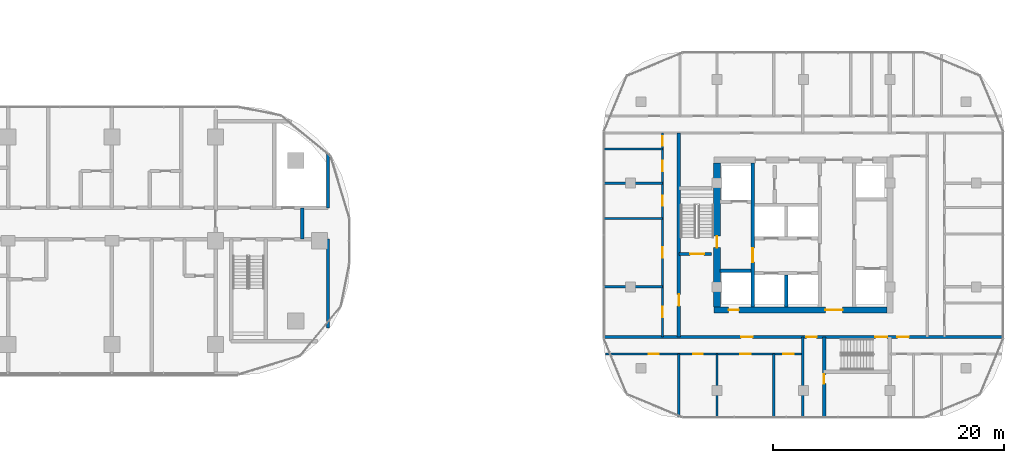
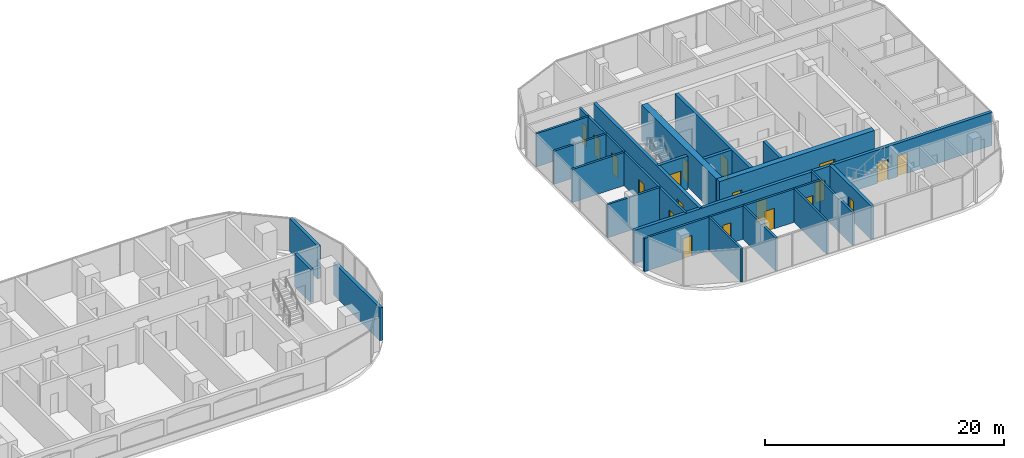
# One storey, part 22 of 34: 22 walls, 20 doors, 20 openings.
"""IFC4 building model written with IfcOpenShell, lengths in metres."""

from ifc_helpers import new_model, si_unit, direction, frame, frame_2d, origin, place, context, subcontext, project, spatial, rectangle, extrude, material, layer, layer_set, type_object, element, fill, save


model = new_model("IFC4")

# Units and contexts
model_context = context("Model", 3, precision=1e-05, world=origin(), true_north=direction((0.0, 1.0)))
body_context = subcontext(model_context, "Body", "Model", "MODEL_VIEW")
ifc_project = project(units=[si_unit("LENGTHUNIT", "METRE"), si_unit("AREAUNIT", "SQUARE_METRE"), si_unit("VOLUMEUNIT", "CUBIC_METRE"), si_unit("PLANEANGLEUNIT", "RADIAN"), si_unit("MASSUNIT", "GRAM", prefix="KILO")], contexts=[model_context])

# Site, building, storey
site_placement = place(None, origin())
site = spatial("IfcSite", under=ifc_project, at=site_placement, CompositionType="ELEMENT")
building_placement = place(site_placement, origin())
building = spatial("IfcBuilding", under=site, at=building_placement, Name="Ogive Portal Towers", CompositionType="ELEMENT")
storey_placement = place(building_placement, frame((0.0, 0.0, 66.800048828125)))
storey = spatial("IfcBuildingStorey", under=building, at=storey_placement, Name="L15", CompositionType="ELEMENT", Elevation=66.800048828125)

# Wall, opening, door
ifc_material_1 = material(Name="Concrete C60/75", Category="concrete")
ifc_layer_1 = layer(ifc_material_1, 0.300048828125)
ifc_layer_set_1 = layer_set([ifc_layer_1], Name="CORE WALL 300 C60")
wall_type_1 = type_object("IfcWallType", Name="CORE WALL 300 C60", PredefinedType="SHEAR", material=ifc_layer_set_1)
wall_1_placement = place(storey_placement, frame((132.10009765625, 24.75, 0.0), z_axis=(0.0, 0.0, 1.0), x_axis=(0.0, 1.0, 0.0)))
wall_1 = element("IfcWall", 1, at=wall_1_placement, inside=storey, type_object=wall_type_1, Name="Tower B core wall BX1 L15", PredefinedType="SHEAR", context=body_context, shape_type="SweptSolid", body=[
    extrude(rectangle(XDim=12.5, YDim=0.300048828125, at=frame_2d((6.25, 0.0))), origin(), (0.0, 0.0, 1.0), 3.699951171875),
])
opening_1_placement = place(wall_1_placement, frame((3.89990234375, 0.0, 0.0)))
opening_1 = element("IfcOpeningElement", 2, at=opening_1_placement, cuts=wall_1, Name="Opening B04-043", PredefinedType="OPENING", context=body_context, shape_type="SweptSolid", body=[
    extrude(rectangle(XDim=1.199951171875, YDim=2.10009765625, at=frame_2d((0.60009765625, 1.050048828125))), frame((0.0, 0.16015625, 0.0), z_axis=(0.0, -1.0, 0.0), x_axis=(1.0, 0.0, 0.0)), (0.0, 0.0, 1.0), 0.320068359375),
])
ifc_material_2 = material(Name="Steel fire door", Category="steel")
door_type_1 = type_object("IfcDoorType", Name="DT-SWING-1200x2100-FD90S", OperationType="SINGLE_SWING_LEFT", PredefinedType="DOOR", material=ifc_material_2)
door_1_placement = place(opening_1_placement, origin())
door_1 = element("IfcDoor", 3, at=door_1_placement, inside=storey, type_object=door_type_1, Name="Door B04-043", OperationType="SINGLE_SWING_LEFT", OverallHeight=2.10009765625, OverallWidth=1.199951171875, PredefinedType="DOOR", context=body_context, shape_type="SweptSolid", body=[
    extrude(rectangle(XDim=1.199951171875, YDim=2.10009765625, at=frame_2d((0.60009765625, 1.050048828125))), frame((0.0, 0.02490234375, 0.0), z_axis=(0.0, -1.0, 0.0), x_axis=(1.0, 0.0, 0.0)), (0.0, 0.0, 1.0), 0.050048828125),
])
fill(opening_1, door_1)

# Walls
wall_2_placement = place(storey_placement, frame((135.0, 24.75, 0.0), z_axis=(0.0, 0.0, 1.0), x_axis=(0.0, 1.0, 0.0)))
element("IfcWall", 4, at=wall_2_placement, inside=storey, type_object=wall_type_1, Name="Tower B core wall BX4 L15", PredefinedType="SHEAR", context=body_context, shape_type="SweptSolid", body=[
    extrude(rectangle(XDim=2.800048828125, YDim=0.300048828125, at=frame_2d((1.39990234375, 0.0))), origin(), (0.0, 0.0, 1.0), 3.699951171875),
])
wall_3_placement = place(storey_placement, frame((129.25, 27.89990234375, 0.0), z_axis=(0.0, 0.0, 1.0), x_axis=(1.0, 0.0, 0.0)))
element("IfcWall", 5, at=wall_3_placement, inside=storey, type_object=wall_type_1, Name="Tower B core wall BY4 L15", PredefinedType="SHEAR", context=body_context, shape_type="SweptSolid", body=[
    extrude(rectangle(XDim=2.699951171875, YDim=0.300048828125, at=frame_2d((1.35009765625, 0.0))), origin(), (0.0, 0.0, 1.0), 3.699951171875),
])

# Wall, openings, doors
ifc_layer_2 = layer(ifc_material_1, 0.5)
ifc_layer_set_2 = layer_set([ifc_layer_2], Name="CORE WALL 500 C60")
wall_type_2 = type_object("IfcWallType", Name="CORE WALL 500 C60", PredefinedType="SHEAR", material=ifc_layer_set_2)
wall_4_placement = place(storey_placement, frame((128.75, 24.5, 0.0), z_axis=(0.0, 0.0, 1.0), x_axis=(1.0, 0.0, 0.0)))
wall_4 = element("IfcWall", 6, at=wall_4_placement, inside=storey, type_object=wall_type_2, Name="Tower B core wall BS L15", PredefinedType="SHEAR", context=body_context, shape_type="SweptSolid", body=[
    extrude(rectangle(XDim=15.0, YDim=0.5, at=frame_2d((7.5, 0.0))), origin(), (0.0, 0.0, 1.0), 3.699951171875),
])
opening_2_placement = place(wall_4_placement, frame((9.64990234375, 0.0, 0.0)))
opening_2 = element("IfcOpeningElement", 7, at=opening_2_placement, cuts=wall_4, Name="Opening B04-046", PredefinedType="OPENING", context=body_context, shape_type="SweptSolid", body=[
    extrude(rectangle(XDim=1.5, YDim=2.10009765625, at=frame_2d((0.75, 1.050048828125))), frame((0.0, 0.260009765625, 0.0), z_axis=(0.0, -1.0, 0.0), x_axis=(1.0, 0.0, 0.0)), (0.0, 0.0, 1.0), 0.52001953125),
])
opening_3_placement = place(wall_4_placement, frame((1.25, 0.0, 0.0)))
opening_3 = element("IfcOpeningElement", 8, at=opening_3_placement, cuts=wall_4, Name="Opening B04-048", PredefinedType="OPENING", context=body_context, shape_type="SweptSolid", body=[
    extrude(rectangle(XDim=0.89990234375, YDim=2.10009765625, at=frame_2d((0.449951171875, 1.050048828125))), frame((0.0, 0.260009765625, 0.0), z_axis=(0.0, -1.0, 0.0), x_axis=(1.0, 0.0, 0.0)), (0.0, 0.0, 1.0), 0.52001953125),
])
door_type_2 = type_object("IfcDoorType", Name="DT-SWING-1500x2100-FD90S", OperationType="SINGLE_SWING_LEFT", PredefinedType="DOOR", material=ifc_material_2)
door_2_placement = place(opening_2_placement, origin())
door_2 = element("IfcDoor", 9, at=door_2_placement, inside=storey, type_object=door_type_2, Name="Door B04-046", OperationType="SINGLE_SWING_LEFT", OverallHeight=2.10009765625, OverallWidth=1.5, PredefinedType="DOOR", context=body_context, shape_type="SweptSolid", body=[
    extrude(rectangle(XDim=1.5, YDim=2.10009765625, at=frame_2d((0.75, 1.050048828125))), frame((0.0, 0.02490234375, 0.0), z_axis=(0.0, -1.0, 0.0), x_axis=(1.0, 0.0, 0.0)), (0.0, 0.0, 1.0), 0.050048828125),
])
fill(opening_2, door_2)
door_type_3 = type_object("IfcDoorType", Name="DT-SWING-900x2100-FD90S", OperationType="SINGLE_SWING_LEFT", PredefinedType="DOOR", material=ifc_material_2)
door_3_placement = place(opening_3_placement, origin())
door_3 = element("IfcDoor", 10, at=door_3_placement, inside=storey, type_object=door_type_3, Name="Riser access door B04-048", OperationType="SINGLE_SWING_LEFT", OverallHeight=2.10009765625, OverallWidth=0.89990234375, PredefinedType="DOOR", context=body_context, shape_type="SweptSolid", body=[
    extrude(rectangle(XDim=0.89990234375, YDim=2.10009765625, at=frame_2d((0.449951171875, 1.050048828125))), frame((0.0, 0.02490234375, 0.0), z_axis=(0.0, -1.0, 0.0), x_axis=(1.0, 0.0, 0.0)), (0.0, 0.0, 1.0), 0.050048828125),
])
fill(opening_3, door_3)

# Wall, opening, door
ifc_layer_3 = layer(ifc_material_1, 0.60009765625)
ifc_layer_set_3 = layer_set([ifc_layer_3], Name="CORE WALL 600 C60")
wall_type_3 = type_object("IfcWallType", Name="CORE WALL 600 C60", PredefinedType="SHEAR", material=ifc_layer_set_3)
wall_5_placement = place(storey_placement, frame((129.0, 24.75, 0.0), z_axis=(0.0, 0.0, 1.0), x_axis=(0.0, 1.0, 0.0)))
wall_5 = element("IfcWall", 11, at=wall_5_placement, inside=storey, type_object=wall_type_3, Name="Tower B core wall BW L15", PredefinedType="SHEAR", context=body_context, shape_type="SweptSolid", body=[
    extrude(rectangle(XDim=12.5, YDim=0.60009765625, at=frame_2d((6.25, 0.0))), origin(), (0.0, 0.0, 1.0), 3.699951171875),
])
opening_4_placement = place(wall_5_placement, frame((5.14990234375, 0.0, 0.0)))
opening_4 = element("IfcOpeningElement", 12, at=opening_4_placement, cuts=wall_5, Name="Opening B04-045", PredefinedType="OPENING", context=body_context, shape_type="SweptSolid", body=[
    extrude(rectangle(XDim=1.0, YDim=2.10009765625, at=frame_2d((0.5, 1.050048828125))), frame((0.0, 0.31005859375, 0.0), z_axis=(0.0, -1.0, 0.0), x_axis=(1.0, 0.0, 0.0)), (0.0, 0.0, 1.0), 0.6201171875),
])
door_type_4 = type_object("IfcDoorType", Name="DT-SWING-1000x2100-FD90S", OperationType="SINGLE_SWING_LEFT", PredefinedType="DOOR", material=ifc_material_2)
door_4_placement = place(opening_4_placement, origin())
door_4 = element("IfcDoor", 13, at=door_4_placement, inside=storey, type_object=door_type_4, Name="Door B04-045", OperationType="SINGLE_SWING_RIGHT", OverallHeight=2.10009765625, OverallWidth=1.0, PredefinedType="DOOR", context=body_context, shape_type="SweptSolid", body=[
    extrude(rectangle(XDim=1.0, YDim=2.10009765625, at=frame_2d((0.5, 1.050048828125))), frame((0.0, 0.02490234375, 0.0), z_axis=(0.0, -1.0, 0.0), x_axis=(1.0, 0.0, 0.0)), (0.0, 0.0, 1.0), 0.050048828125),
])
fill(opening_4, door_4)

# Wall, openings, doors
ifc_material_3 = material(Name="Concrete C50/60", Category="concrete")
ifc_layer_4 = layer(ifc_material_3, 0.300048828125)
ifc_layer_set_4 = layer_set([ifc_layer_4], Name="STAIR WALL 300 C50")
wall_type_4 = type_object("IfcWallType", Name="STAIR WALL 300 C50", PredefinedType="SHEAR", material=ifc_layer_set_4)
wall_6_placement = place(storey_placement, frame((119.169921875, 22.14990234375, 0.0), z_axis=(0.0, 0.0, 1.0), x_axis=(1.0, 0.0, 0.0)))
wall_6 = element("IfcWall", 14, at=wall_6_placement, inside=storey, type_object=wall_type_4, Name="Stair wall ST-B2 L15", PredefinedType="SHEAR", context=body_context, shape_type="SweptSolid", body=[
    extrude(rectangle(XDim=34.66015625, YDim=0.300048828125, at=frame_2d((17.330078125, 0.0))), origin(), (0.0, 0.0, 1.0), 3.39990234375),
])
opening_5_placement = place(wall_6_placement, frame((23.580078125, 0.0, 0.0)))
opening_5 = element("IfcOpeningElement", 15, at=opening_5_placement, cuts=wall_6, Name="Opening B04-003", PredefinedType="OPENING", context=body_context, shape_type="SweptSolid", body=[
    extrude(rectangle(XDim=1.0, YDim=2.10009765625, at=frame_2d((0.5, 1.050048828125))), frame((0.0, 0.16015625, 0.0), z_axis=(0.0, -1.0, 0.0), x_axis=(1.0, 0.0, 0.0)), (0.0, 0.0, 1.0), 0.320068359375),
])
opening_6_placement = place(wall_6_placement, frame((11.929931640625, 0.0, 0.0)))
opening_6 = element("IfcOpeningElement", 16, at=opening_6_placement, cuts=wall_6, Name="Opening B04-018", PredefinedType="OPENING", context=body_context, shape_type="SweptSolid", body=[
    extrude(rectangle(XDim=1.0, YDim=2.10009765625, at=frame_2d((0.5, 1.050048828125))), frame((0.0, 0.16015625, 0.0), z_axis=(0.0, -1.0, 0.0), x_axis=(1.0, 0.0, 0.0)), (0.0, 0.0, 1.0), 0.320068359375),
])
opening_7_placement = place(wall_6_placement, frame((25.47998046875, 0.0, 0.0)))
opening_7 = element("IfcOpeningElement", 17, at=opening_7_placement, cuts=wall_6, Name="Opening B04-023", PredefinedType="OPENING", context=body_context, shape_type="SweptSolid", body=[
    extrude(rectangle(XDim=1.0, YDim=2.10009765625, at=frame_2d((0.5, 1.050048828125))), frame((0.0, 0.16015625, 0.0), z_axis=(0.0, -1.0, 0.0), x_axis=(1.0, 0.0, 0.0)), (0.0, 0.0, 1.0), 0.320068359375),
])
opening_8_placement = place(wall_6_placement, frame((17.580078125, 0.0, 0.0)))
opening_8 = element("IfcOpeningElement", 18, at=opening_8_placement, cuts=wall_6, Name="Opening B04-027", PredefinedType="OPENING", context=body_context, shape_type="SweptSolid", body=[
    extrude(rectangle(XDim=0.89990234375, YDim=2.10009765625, at=frame_2d((0.449951171875, 1.050048828125))), frame((0.0, 0.16015625, 0.0), z_axis=(0.0, -1.0, 0.0), x_axis=(1.0, 0.0, 0.0)), (0.0, 0.0, 1.0), 0.320068359375),
])
door_5_placement = place(opening_5_placement, origin())
door_5 = element("IfcDoor", 19, at=door_5_placement, inside=storey, type_object=door_type_4, Name="Door B04-003", OperationType="SINGLE_SWING_LEFT", OverallHeight=2.10009765625, OverallWidth=1.0, PredefinedType="DOOR", context=body_context, shape_type="SweptSolid", body=[
    extrude(rectangle(XDim=1.0, YDim=2.10009765625, at=frame_2d((0.5, 1.050048828125))), frame((0.0, 0.02490234375, 0.0), z_axis=(0.0, -1.0, 0.0), x_axis=(1.0, 0.0, 0.0)), (0.0, 0.0, 1.0), 0.050048828125),
])
fill(opening_5, door_5)
door_6_placement = place(opening_6_placement, origin())
door_6 = element("IfcDoor", 20, at=door_6_placement, inside=storey, type_object=door_type_4, Name="Door B04-018", OperationType="SINGLE_SWING_RIGHT", OverallHeight=2.10009765625, OverallWidth=1.0, PredefinedType="DOOR", context=body_context, shape_type="SweptSolid", body=[
    extrude(rectangle(XDim=1.0, YDim=2.10009765625, at=frame_2d((0.5, 1.050048828125))), frame((0.0, 0.02490234375, 0.0), z_axis=(0.0, -1.0, 0.0), x_axis=(1.0, 0.0, 0.0)), (0.0, 0.0, 1.0), 0.050048828125),
])
fill(opening_6, door_6)
door_7_placement = place(opening_7_placement, origin())
door_7 = element("IfcDoor", 21, at=door_7_placement, inside=storey, type_object=door_type_4, Name="Door B04-023", OperationType="SINGLE_SWING_LEFT", OverallHeight=2.10009765625, OverallWidth=1.0, PredefinedType="DOOR", context=body_context, shape_type="SweptSolid", body=[
    extrude(rectangle(XDim=1.0, YDim=2.10009765625, at=frame_2d((0.5, 1.050048828125))), frame((0.0, 0.02490234375, 0.0), z_axis=(0.0, -1.0, 0.0), x_axis=(1.0, 0.0, 0.0)), (0.0, 0.0, 1.0), 0.050048828125),
])
fill(opening_7, door_7)
door_8_placement = place(opening_8_placement, origin())
door_8 = element("IfcDoor", 22, at=door_8_placement, inside=storey, type_object=door_type_3, Name="Door B04-027", OperationType="SINGLE_SWING_LEFT", OverallHeight=2.10009765625, OverallWidth=0.89990234375, PredefinedType="DOOR", context=body_context, shape_type="SweptSolid", body=[
    extrude(rectangle(XDim=0.89990234375, YDim=2.10009765625, at=frame_2d((0.449951171875, 1.050048828125))), frame((0.0, 0.02490234375, 0.0), z_axis=(0.0, -1.0, 0.0), x_axis=(1.0, 0.0, 0.0)), (0.0, 0.0, 1.0), 0.050048828125),
])
fill(opening_8, door_8)

# Wall, opening, door
wall_7_placement = place(storey_placement, frame((125.699951171875, 29.35009765625, 0.0), z_axis=(0.0, 0.0, 1.0), x_axis=(1.0, 0.0, 0.0)))
wall_7 = element("IfcWall", 23, at=wall_7_placement, inside=storey, type_object=wall_type_4, Name="Stair wall ST-B1 L15", PredefinedType="SHEAR", context=body_context, shape_type="SweptSolid", body=[
    extrude(rectangle(XDim=2.830078125, YDim=0.300048828125, at=frame_2d((1.4150390625, 0.0))), origin(), (0.0, 0.0, 1.0), 3.39990234375),
])
opening_9_placement = place(wall_7_placement, frame((0.97509765625, 0.0, 0.0)))
opening_9 = element("IfcOpeningElement", 24, at=opening_9_placement, cuts=wall_7, Name="Opening B04-002", PredefinedType="OPENING", context=body_context, shape_type="SweptSolid", body=[
    extrude(rectangle(XDim=1.199951171875, YDim=2.10009765625, at=frame_2d((0.60009765625, 1.050048828125))), frame((0.0, 0.16015625, 0.0), z_axis=(0.0, -1.0, 0.0), x_axis=(1.0, 0.0, 0.0)), (0.0, 0.0, 1.0), 0.320068359375),
])
door_9_placement = place(opening_9_placement, origin())
door_9 = element("IfcDoor", 25, at=door_9_placement, inside=storey, type_object=door_type_1, Name="Door B04-002", OperationType="SINGLE_SWING_RIGHT", OverallHeight=2.10009765625, OverallWidth=1.199951171875, PredefinedType="DOOR", context=body_context, shape_type="SweptSolid", body=[
    extrude(rectangle(XDim=1.199951171875, YDim=2.10009765625, at=frame_2d((0.60009765625, 1.050048828125))), frame((0.0, 0.02490234375, 0.0), z_axis=(0.0, -1.0, 0.0), x_axis=(1.0, 0.0, 0.0)), (0.0, 0.0, 1.0), 0.050048828125),
])
fill(opening_9, door_9)

wall_8_placement = place(storey_placement, frame((125.699951171875, 22.14990234375, 0.0), z_axis=(0.0, 0.0, 1.0), x_axis=(0.0, 1.0, 0.0)))
wall_8 = element("IfcWall", 26, at=wall_8_placement, inside=storey, type_object=wall_type_4, Name="Stair wall ST-B1 L15", PredefinedType="SHEAR", context=body_context, shape_type="SweptSolid", body=[
    extrude(rectangle(XDim=17.7001953125, YDim=0.300048828125, at=frame_2d((8.85009765625, 0.0))), origin(), (0.0, 0.0, 1.0), 3.39990234375),
])
opening_10_placement = place(wall_8_placement, frame((2.699951171875, 0.0, 0.0)))
opening_10 = element("IfcOpeningElement", 27, at=opening_10_placement, cuts=wall_8, Name="Opening B04-029", PredefinedType="OPENING", context=body_context, shape_type="SweptSolid", body=[
    extrude(rectangle(XDim=1.0, YDim=2.10009765625, at=frame_2d((0.5, 1.050048828125))), frame((0.0, 0.16015625, 0.0), z_axis=(0.0, -1.0, 0.0), x_axis=(1.0, 0.0, 0.0)), (0.0, 0.0, 1.0), 0.320068359375),
])
door_10_placement = place(opening_10_placement, origin())
door_10 = element("IfcDoor", 28, at=door_10_placement, inside=storey, type_object=door_type_4, Name="Door B04-029", OperationType="SINGLE_SWING_LEFT", OverallHeight=2.10009765625, OverallWidth=1.0, PredefinedType="DOOR", context=body_context, shape_type="SweptSolid", body=[
    extrude(rectangle(XDim=1.0, YDim=2.10009765625, at=frame_2d((0.5, 1.050048828125))), frame((0.0, 0.02490234375, 0.0), z_axis=(0.0, -1.0, 0.0), x_axis=(1.0, 0.0, 0.0)), (0.0, 0.0, 1.0), 0.050048828125),
])
fill(opening_10, door_10)

wall_9_placement = place(storey_placement, frame((138.300048828125, 15.169921875, 0.0), z_axis=(0.0, 0.0, 1.0), x_axis=(0.0, 1.0, 0.0)))
wall_9 = element("IfcWall", 29, at=wall_9_placement, inside=storey, type_object=wall_type_4, Name="Stair wall ST-B2 L15", PredefinedType="SHEAR", context=body_context, shape_type="SweptSolid", body=[
    extrude(rectangle(XDim=6.97998046875, YDim=0.300048828125, at=frame_2d((3.489990234375, 0.0))), origin(), (0.0, 0.0, 1.0), 3.39990234375),
])
opening_11_placement = place(wall_9_placement, frame((2.929931640625, 0.0, 0.0)))
opening_11 = element("IfcOpeningElement", 30, at=opening_11_placement, cuts=wall_9, Name="Opening B04-028", PredefinedType="OPENING", context=body_context, shape_type="SweptSolid", body=[
    extrude(rectangle(XDim=0.800048828125, YDim=2.10009765625, at=frame_2d((0.39990234375, 1.050048828125))), frame((0.0, 0.16015625, 0.0), z_axis=(0.0, -1.0, 0.0), x_axis=(1.0, 0.0, 0.0)), (0.0, 0.0, 1.0), 0.320068359375),
])
door_type_5 = type_object("IfcDoorType", Name="DT-SWING-800x2100-FD90S", OperationType="SINGLE_SWING_LEFT", PredefinedType="DOOR", material=ifc_material_2)
door_11_placement = place(opening_11_placement, origin())
door_11 = element("IfcDoor", 31, at=door_11_placement, inside=storey, type_object=door_type_5, Name="Door B04-028", OperationType="SINGLE_SWING_RIGHT", OverallHeight=2.10009765625, OverallWidth=0.800048828125, PredefinedType="DOOR", context=body_context, shape_type="SweptSolid", body=[
    extrude(rectangle(XDim=0.800048828125, YDim=2.10009765625, at=frame_2d((0.39990234375, 1.050048828125))), frame((0.0, 0.02490234375, 0.0), z_axis=(0.0, -1.0, 0.0), x_axis=(1.0, 0.0, 0.0)), (0.0, 0.0, 1.0), 0.050048828125),
])
fill(opening_11, door_11)

# Wall, openings, doors
ifc_material_4 = material(Name="Gypsum board partition on steel studs", Category="steel")
ifc_layer_5 = layer(ifc_material_4, 0.199951171875)
ifc_layer_set_5 = layer_set([ifc_layer_5], Name="WT-PART-200-EI 60")
wall_type_5 = type_object("IfcWallType", Name="WT-PART-200-EI 60", PredefinedType="PARTITIONING", material=ifc_layer_set_5)
wall_10_placement = place(storey_placement, frame((119.345947265625, 20.669921875, 0.0), z_axis=(0.0, 0.0, 1.0), x_axis=(1.0, 0.0, 0.0)))
wall_10 = element("IfcWall", 32, at=wall_10_placement, inside=storey, type_object=wall_type_5, Name="Wall L15:w002", PredefinedType="PARTITIONING", context=body_context, shape_type="SweptSolid", body=[
    extrude(rectangle(XDim=17.154052734375, YDim=0.199951171875, at=frame_2d((8.5771484375, 0.0))), origin(), (0.0, 0.0, 1.0), 3.39990234375),
])
opening_12_placement = place(wall_10_placement, frame((3.717041015625, 0.0, 0.0)))
opening_12 = element("IfcOpeningElement", 33, at=opening_12_placement, cuts=wall_10, Name="Opening B04-019", PredefinedType="OPENING", context=body_context, shape_type="SweptSolid", body=[
    extrude(rectangle(XDim=0.89990234375, YDim=2.10009765625, at=frame_2d((0.449951171875, 1.050048828125))), frame((0.0, 0.10986328125, 0.0), z_axis=(0.0, -1.0, 0.0), x_axis=(1.0, 0.0, 0.0)), (0.0, 0.0, 1.0), 0.219970703125),
])
opening_13_placement = place(wall_10_placement, frame((7.596923828125, 0.0, 0.0)))
opening_13 = element("IfcOpeningElement", 34, at=opening_13_placement, cuts=wall_10, Name="Opening B04-020", PredefinedType="OPENING", context=body_context, shape_type="SweptSolid", body=[
    extrude(rectangle(XDim=0.800048828125, YDim=2.10009765625, at=frame_2d((0.39990234375, 1.050048828125))), frame((0.0, 0.10986328125, 0.0), z_axis=(0.0, -1.0, 0.0), x_axis=(1.0, 0.0, 0.0)), (0.0, 0.0, 1.0), 0.219970703125),
])
opening_14_placement = place(wall_10_placement, frame((11.6708984375, 0.0, 0.0)))
opening_14 = element("IfcOpeningElement", 35, at=opening_14_placement, cuts=wall_10, Name="Opening B04-021", PredefinedType="OPENING", context=body_context, shape_type="SweptSolid", body=[
    extrude(rectangle(XDim=0.89990234375, YDim=2.10009765625, at=frame_2d((0.449951171875, 1.050048828125))), frame((0.0, 0.10986328125, 0.0), z_axis=(0.0, -1.0, 0.0), x_axis=(1.0, 0.0, 0.0)), (0.0, 0.0, 1.0), 0.219970703125),
])
opening_15_placement = place(wall_10_placement, frame((15.4208984375, 0.0, 0.0)))
opening_15 = element("IfcOpeningElement", 36, at=opening_15_placement, cuts=wall_10, Name="Opening B04-022", PredefinedType="OPENING", context=body_context, shape_type="SweptSolid", body=[
    extrude(rectangle(XDim=0.89990234375, YDim=2.10009765625, at=frame_2d((0.449951171875, 1.050048828125))), frame((0.0, 0.10986328125, 0.0), z_axis=(0.0, -1.0, 0.0), x_axis=(1.0, 0.0, 0.0)), (0.0, 0.0, 1.0), 0.219970703125),
])
door_type_6 = type_object("IfcDoorType", Name="DT-SWING-800x2100-FD60S", OperationType="SINGLE_SWING_LEFT", PredefinedType="DOOR", material=ifc_material_2)
door_12_placement = place(opening_13_placement, origin())
door_12 = element("IfcDoor", 37, at=door_12_placement, inside=storey, type_object=door_type_6, Name="Door B04-020", OperationType="SINGLE_SWING_RIGHT", OverallHeight=2.10009765625, OverallWidth=0.800048828125, PredefinedType="DOOR", context=body_context, shape_type="SweptSolid", body=[
    extrude(rectangle(XDim=0.800048828125, YDim=2.10009765625, at=frame_2d((0.39990234375, 1.050048828125))), frame((0.0, 0.02490234375, 0.0), z_axis=(0.0, -1.0, 0.0), x_axis=(1.0, 0.0, 0.0)), (0.0, 0.0, 1.0), 0.050048828125),
])
fill(opening_13, door_12)
door_type_7 = type_object("IfcDoorType", Name="DT-SWING-900x2100-FD60S", OperationType="SINGLE_SWING_LEFT", PredefinedType="DOOR", material=ifc_material_2)
door_13_placement = place(opening_12_placement, origin())
door_13 = element("IfcDoor", 38, at=door_13_placement, inside=storey, type_object=door_type_7, Name="Door B04-019", OperationType="SINGLE_SWING_LEFT", OverallHeight=2.10009765625, OverallWidth=0.89990234375, PredefinedType="DOOR", context=body_context, shape_type="SweptSolid", body=[
    extrude(rectangle(XDim=0.89990234375, YDim=2.10009765625, at=frame_2d((0.449951171875, 1.050048828125))), frame((0.0, 0.02490234375, 0.0), z_axis=(0.0, -1.0, 0.0), x_axis=(1.0, 0.0, 0.0)), (0.0, 0.0, 1.0), 0.050048828125),
])
fill(opening_12, door_13)
door_14_placement = place(opening_14_placement, origin())
door_14 = element("IfcDoor", 39, at=door_14_placement, inside=storey, type_object=door_type_7, Name="Door B04-021", OperationType="SINGLE_SWING_LEFT", OverallHeight=2.10009765625, OverallWidth=0.89990234375, PredefinedType="DOOR", context=body_context, shape_type="SweptSolid", body=[
    extrude(rectangle(XDim=0.89990234375, YDim=2.10009765625, at=frame_2d((0.449951171875, 1.050048828125))), frame((0.0, 0.02490234375, 0.0), z_axis=(0.0, -1.0, 0.0), x_axis=(1.0, 0.0, 0.0)), (0.0, 0.0, 1.0), 0.050048828125),
])
fill(opening_14, door_14)
door_15_placement = place(opening_15_placement, origin())
door_15 = element("IfcDoor", 40, at=door_15_placement, inside=storey, type_object=door_type_7, Name="Door B04-022", OperationType="SINGLE_SWING_RIGHT", OverallHeight=2.10009765625, OverallWidth=0.89990234375, PredefinedType="DOOR", context=body_context, shape_type="SweptSolid", body=[
    extrude(rectangle(XDim=0.89990234375, YDim=2.10009765625, at=frame_2d((0.449951171875, 1.050048828125))), frame((0.0, 0.02490234375, 0.0), z_axis=(0.0, -1.0, 0.0), x_axis=(1.0, 0.0, 0.0)), (0.0, 0.0, 1.0), 0.050048828125),
])
fill(opening_15, door_15)

# Walls
for number, where, z_axis, x_axis, name in (
    (41, (119.169921875, 26.5, 0.0), (0.0, 0.0, 1.0), (1.0, 0.0, 0.0), "Wall L15:w008"),
    (42, (119.169921875, 32.43310546875, 0.0), (0.0, 0.0, 1.0), (1.0, 0.0, 0.0), "Wall L15:w012"),
    (43, (119.169921875, 35.5, 0.0), (0.0, 0.0, 1.0), (1.0, 0.0, 0.0), "Wall L15:w015"),
    (44, (119.169921875, 38.4560546875, 0.0), (0.0, 0.0, 1.0), (1.0, 0.0, 0.0), "Wall L15:w019"),
):
    element("IfcWall", number, at=place(storey_placement, frame(where, z_axis=z_axis, x_axis=x_axis)), inside=storey, type_object=wall_type_5, Name=name, PredefinedType="PARTITIONING", context=body_context, shape_type="SweptSolid", body=[
        extrude(rectangle(XDim=5.10009765625, YDim=0.199951171875, at=frame_2d((2.550048828125, 0.0))), origin(), (0.0, 0.0, 1.0), 3.39990234375),
    ])

# Wall, openings, doors
wall_11_placement = place(storey_placement, frame((124.27001953125, 22.14990234375, 0.0), z_axis=(0.0, 0.0, 1.0), x_axis=(0.0, 1.0, 0.0)))
wall_11 = element("IfcWall", 45, at=wall_11_placement, inside=storey, type_object=wall_type_5, Name="Wall L15:w022", PredefinedType="PARTITIONING", context=body_context, shape_type="SweptSolid", body=[
    extrude(rectangle(XDim=17.7001953125, YDim=0.199951171875, at=frame_2d((8.85009765625, 0.0))), origin(), (0.0, 0.0, 1.0), 3.39990234375),
])
opening_16_placement = place(wall_11_placement, frame((1.72509765625, 0.0, 0.0)))
opening_16 = element("IfcOpeningElement", 46, at=opening_16_placement, cuts=wall_11, Name="Opening B04-030", PredefinedType="OPENING", context=body_context, shape_type="SweptSolid", body=[
    extrude(rectangle(XDim=0.89990234375, YDim=2.10009765625, at=frame_2d((0.449951171875, 1.050048828125))), frame((0.0, 0.10986328125, 0.0), z_axis=(0.0, -1.0, 0.0), x_axis=(1.0, 0.0, 0.0)), (0.0, 0.0, 1.0), 0.219970703125),
])
opening_17_placement = place(wall_11_placement, frame((6.866943359375, 0.0, 0.0)))
opening_17 = element("IfcOpeningElement", 47, at=opening_17_placement, cuts=wall_11, Name="Opening B04-031", PredefinedType="OPENING", context=body_context, shape_type="SweptSolid", body=[
    extrude(rectangle(XDim=0.89990234375, YDim=2.10009765625, at=frame_2d((0.449951171875, 1.050048828125))), frame((0.0, 0.10986328125, 0.0), z_axis=(0.0, -1.0, 0.0), x_axis=(1.0, 0.0, 0.0)), (0.0, 0.0, 1.0), 0.219970703125),
])
opening_18_placement = place(wall_11_placement, frame((11.366943359375, 0.0, 0.0)))
opening_18 = element("IfcOpeningElement", 48, at=opening_18_placement, cuts=wall_11, Name="Opening B04-032", PredefinedType="OPENING", context=body_context, shape_type="SweptSolid", body=[
    extrude(rectangle(XDim=0.89990234375, YDim=2.10009765625, at=frame_2d((0.449951171875, 1.050048828125))), frame((0.0, 0.10986328125, 0.0), z_axis=(0.0, -1.0, 0.0), x_axis=(1.0, 0.0, 0.0)), (0.0, 0.0, 1.0), 0.219970703125),
])
opening_19_placement = place(wall_11_placement, frame((14.3779296875, 0.0, 0.0)))
opening_19 = element("IfcOpeningElement", 49, at=opening_19_placement, cuts=wall_11, Name="Opening B04-033", PredefinedType="OPENING", context=body_context, shape_type="SweptSolid", body=[
    extrude(rectangle(XDim=0.89990234375, YDim=2.10009765625, at=frame_2d((0.449951171875, 1.050048828125))), frame((0.0, 0.10986328125, 0.0), z_axis=(0.0, -1.0, 0.0), x_axis=(1.0, 0.0, 0.0)), (0.0, 0.0, 1.0), 0.219970703125),
])
opening_20_placement = place(wall_11_placement, frame((16.60302734375, 0.0, 0.0)))
opening_20 = element("IfcOpeningElement", 50, at=opening_20_placement, cuts=wall_11, Name="Opening B04-034", PredefinedType="OPENING", context=body_context, shape_type="SweptSolid", body=[
    extrude(rectangle(XDim=0.800048828125, YDim=2.10009765625, at=frame_2d((0.39990234375, 1.050048828125))), frame((0.0, 0.10986328125, 0.0), z_axis=(0.0, -1.0, 0.0), x_axis=(1.0, 0.0, 0.0)), (0.0, 0.0, 1.0), 0.219970703125),
])
door_16_placement = place(opening_20_placement, origin())
door_16 = element("IfcDoor", 51, at=door_16_placement, inside=storey, type_object=door_type_6, Name="Door B04-034", OperationType="SINGLE_SWING_RIGHT", OverallHeight=2.10009765625, OverallWidth=0.800048828125, PredefinedType="DOOR", context=body_context, shape_type="SweptSolid", body=[
    extrude(rectangle(XDim=0.800048828125, YDim=2.10009765625, at=frame_2d((0.39990234375, 1.050048828125))), frame((0.0, 0.02490234375, 0.0), z_axis=(0.0, -1.0, 0.0), x_axis=(1.0, 0.0, 0.0)), (0.0, 0.0, 1.0), 0.050048828125),
])
fill(opening_20, door_16)
door_17_placement = place(opening_16_placement, origin())
door_17 = element("IfcDoor", 52, at=door_17_placement, inside=storey, type_object=door_type_7, Name="Door B04-030", OperationType="SINGLE_SWING_RIGHT", OverallHeight=2.10009765625, OverallWidth=0.89990234375, PredefinedType="DOOR", context=body_context, shape_type="SweptSolid", body=[
    extrude(rectangle(XDim=0.89990234375, YDim=2.10009765625, at=frame_2d((0.449951171875, 1.050048828125))), frame((0.0, 0.02490234375, 0.0), z_axis=(0.0, -1.0, 0.0), x_axis=(1.0, 0.0, 0.0)), (0.0, 0.0, 1.0), 0.050048828125),
])
fill(opening_16, door_17)
door_18_placement = place(opening_17_placement, origin())
door_18 = element("IfcDoor", 53, at=door_18_placement, inside=storey, type_object=door_type_7, Name="Door B04-031", OperationType="SINGLE_SWING_LEFT", OverallHeight=2.10009765625, OverallWidth=0.89990234375, PredefinedType="DOOR", context=body_context, shape_type="SweptSolid", body=[
    extrude(rectangle(XDim=0.89990234375, YDim=2.10009765625, at=frame_2d((0.449951171875, 1.050048828125))), frame((0.0, 0.02490234375, 0.0), z_axis=(0.0, -1.0, 0.0), x_axis=(1.0, 0.0, 0.0)), (0.0, 0.0, 1.0), 0.050048828125),
])
fill(opening_17, door_18)
door_19_placement = place(opening_18_placement, origin())
door_19 = element("IfcDoor", 54, at=door_19_placement, inside=storey, type_object=door_type_7, Name="Door B04-032", OperationType="SINGLE_SWING_RIGHT", OverallHeight=2.10009765625, OverallWidth=0.89990234375, PredefinedType="DOOR", context=body_context, shape_type="SweptSolid", body=[
    extrude(rectangle(XDim=0.89990234375, YDim=2.10009765625, at=frame_2d((0.449951171875, 1.050048828125))), frame((0.0, 0.02490234375, 0.0), z_axis=(0.0, -1.0, 0.0), x_axis=(1.0, 0.0, 0.0)), (0.0, 0.0, 1.0), 0.050048828125),
])
fill(opening_18, door_19)
door_20_placement = place(opening_19_placement, origin())
door_20 = element("IfcDoor", 55, at=door_20_placement, inside=storey, type_object=door_type_7, Name="Door B04-033", OperationType="SINGLE_SWING_LEFT", OverallHeight=2.10009765625, OverallWidth=0.89990234375, PredefinedType="DOOR", context=body_context, shape_type="SweptSolid", body=[
    extrude(rectangle(XDim=0.89990234375, YDim=2.10009765625, at=frame_2d((0.449951171875, 1.050048828125))), frame((0.0, 0.02490234375, 0.0), z_axis=(0.0, -1.0, 0.0), x_axis=(1.0, 0.0, 0.0)), (0.0, 0.0, 1.0), 0.050048828125),
])
fill(opening_19, door_20)

# Walls
wall_12_placement = place(storey_placement, frame((125.68603515625, 15.2119140625, 0.0), z_axis=(0.0, 0.0, 1.0), x_axis=(0.0, 1.0, 0.0)))
element("IfcWall", 56, at=wall_12_placement, inside=storey, type_object=wall_type_5, Name="Wall L15:w023", PredefinedType="PARTITIONING", context=body_context, shape_type="SweptSolid", body=[
    extrude(rectangle(XDim=5.4580078125, YDim=0.199951171875, at=frame_2d((2.72900390625, 0.0))), origin(), (0.0, 0.0, 1.0), 3.39990234375),
])
for number, where, z_axis, x_axis, name in (
    (57, (129.0, 15.169921875, 0.0), (0.0, 0.0, 1.0), (0.0, 1.0, 0.0), "Wall L15:w028"),
    (58, (133.93310546875, 15.169921875, 0.0), (0.0, 0.0, 1.0), (0.0, 1.0, 0.0), "Wall L15:w030"),
):
    element("IfcWall", number, at=place(storey_placement, frame(where, z_axis=z_axis, x_axis=x_axis)), inside=storey, type_object=wall_type_5, Name=name, PredefinedType="PARTITIONING", context=body_context, shape_type="SweptSolid", body=[
        extrude(rectangle(XDim=5.5, YDim=0.199951171875, at=frame_2d((2.75, 0.0))), origin(), (0.0, 0.0, 1.0), 3.39990234375),
    ])
wall_13_placement = place(storey_placement, frame((136.449951171875, 15.169921875, 0.0), z_axis=(0.0, 0.0, 1.0), x_axis=(0.0, 1.0, 0.0)))
element("IfcWall", 59, at=wall_13_placement, inside=storey, type_object=wall_type_5, Name="Wall L15:w033", PredefinedType="PARTITIONING", context=body_context, shape_type="SweptSolid", body=[
    extrude(rectangle(XDim=6.97998046875, YDim=0.199951171875, at=frame_2d((3.489990234375, 0.0))), origin(), (0.0, 0.0, 1.0), 3.39990234375),
])
ifc_layer_6 = layer(ifc_material_4, 0.300048828125)
ifc_layer_set_6 = layer_set([ifc_layer_6], Name="WT-PART-300-EI 120")
wall_type_6 = type_object("IfcWallType", Name="WT-PART-300-EI 120", PredefinedType="PARTITIONING", material=ifc_layer_set_6)
wall_14_placement = place(storey_placement, frame((93.0, 30.64990234375, 0.0), z_axis=(0.0, 0.0, 1.0), x_axis=(0.0, 1.0, 0.0)))
element("IfcWall", 60, at=wall_14_placement, inside=storey, type_object=wall_type_6, Name="Wall L15:w065", PredefinedType="PARTITIONING", context=body_context, shape_type="SweptSolid", body=[
    extrude(rectangle(XDim=2.7001953125, YDim=0.300048828125, at=frame_2d((1.35009765625, 0.0))), origin(), (0.0, 0.0, 1.0), 3.39990234375),
])
ifc_layer_7 = layer(ifc_material_4, 0.300048828125)
ifc_layer_set_7 = layer_set([ifc_layer_7], Name="WT-PART-300-EI 60")
wall_type_7 = type_object("IfcWallType", Name="WT-PART-300-EI 60", PredefinedType="PARTITIONING", material=ifc_layer_set_7)
wall_15_placement = place(storey_placement, frame((95.25, 22.926025390625, 0.0), z_axis=(0.0, 0.0, 1.0), x_axis=(0.0, 1.0, 0.0)))
element("IfcWall", 61, at=wall_15_placement, inside=storey, type_object=wall_type_7, Name="Wall L15:w066", PredefinedType="PARTITIONING", context=body_context, shape_type="SweptSolid", body=[
    extrude(rectangle(XDim=7.723876953125, YDim=0.300048828125, at=frame_2d((3.86181640625, 0.0))), origin(), (0.0, 0.0, 1.0), 3.349853515625),
])
wall_16_placement = place(storey_placement, frame((95.25, 33.35009765625, 0.0), z_axis=(0.0, 0.0, 1.0), x_axis=(0.0, 1.0, 0.0)))
element("IfcWall", 62, at=wall_16_placement, inside=storey, type_object=wall_type_7, Name="Wall L15:w067", PredefinedType="PARTITIONING", context=body_context, shape_type="SweptSolid", body=[
    extrude(rectangle(XDim=4.723876953125, YDim=0.300048828125, at=frame_2d((2.36181640625, 0.0))), origin(), (0.0, 0.0, 1.0), 3.349853515625),
])

save(model, "model.ifc")
